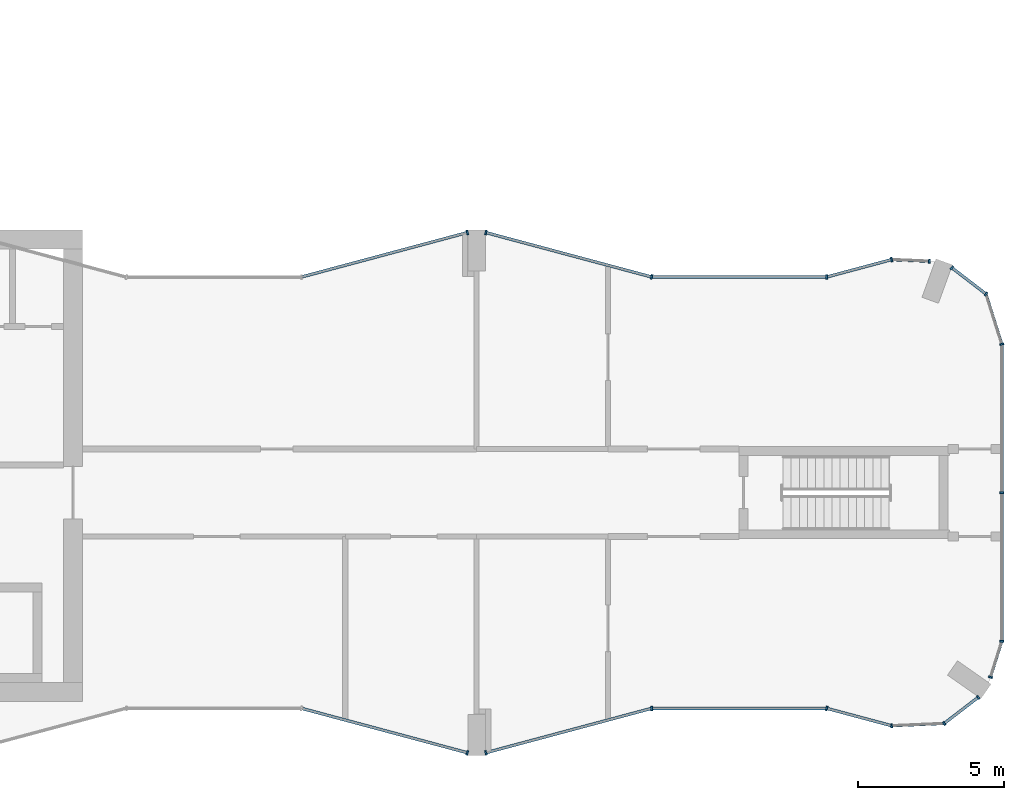
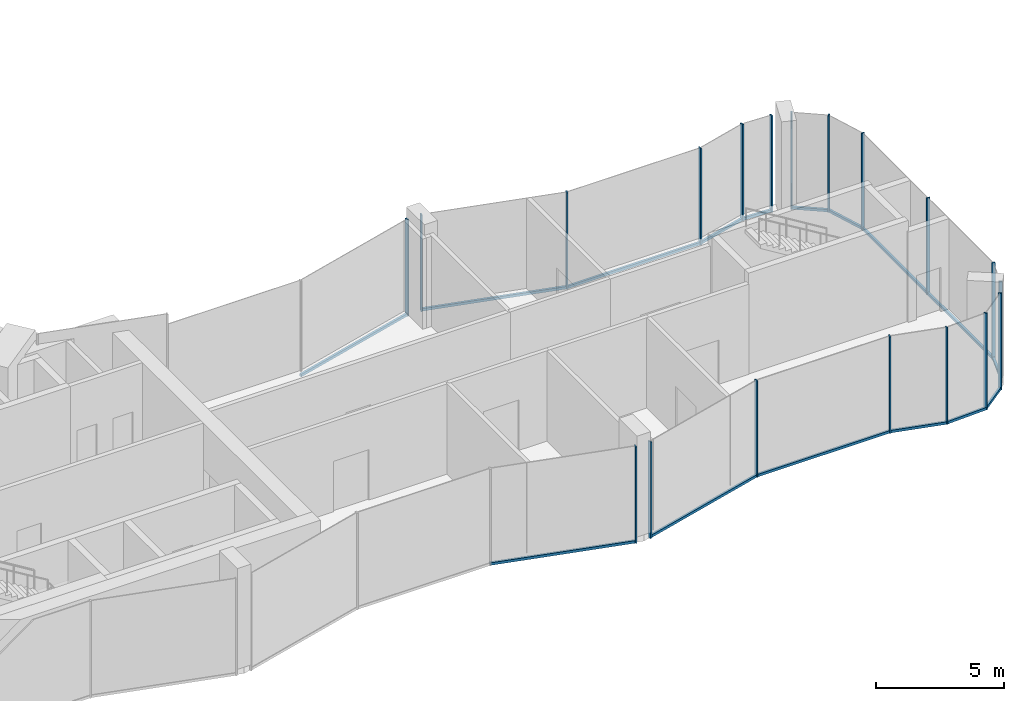
# One storey, part 6 of 13: 34 members, 15 elements without a shape of their own.
"""IFC4 building model written with IfcOpenShell, lengths in metres."""

from ifc_helpers import new_model, si_unit, direction, frame, origin, origin_2d, place, context, subcontext, project, spatial, rectangle, extrude, material, layer, layer_set, material_profile, profile_set, type_object, element, aggregate, save


model = new_model("IFC4")

# Units and contexts
model_context = context("Model", 3, precision=1e-05, world=origin(), true_north=direction((0.0, 1.0)))
body_context = subcontext(model_context, "Body", "Model", "MODEL_VIEW")
ifc_project = project(units=[si_unit("LENGTHUNIT", "METRE"), si_unit("AREAUNIT", "SQUARE_METRE"), si_unit("VOLUMEUNIT", "CUBIC_METRE"), si_unit("PLANEANGLEUNIT", "RADIAN"), si_unit("MASSUNIT", "GRAM", prefix="KILO")], contexts=[model_context])

# Site, building, storey
site_placement = place(None, origin())
site = spatial("IfcSite", under=ifc_project, at=site_placement, CompositionType="ELEMENT")
building_placement = place(site_placement, origin())
building = spatial("IfcBuilding", under=site, at=building_placement, Name="Plateau Cross Towers", CompositionType="ELEMENT")
storey_placement = place(building_placement, frame((0.0, 0.0, 134.60009765625)))
storey = spatial("IfcBuildingStorey", under=building, at=storey_placement, Name="L34", CompositionType="ELEMENT", Elevation=134.60009765625)

# Curtain wall, member
ifc_material_1 = material(Name="Dark low-iron glass", Category="glass")
ifc_layer_1 = layer(ifc_material_1, 0.239990234375)
ifc_layer_set_1 = layer_set([ifc_layer_1], Name="Dark low-iron glass")
curtain_wall_type_1 = type_object("IfcCurtainWallType", Name="Curtain wall flush unitised CW-B", PredefinedType="NOTDEFINED", material=ifc_layer_set_1)
curtain_wall_1_placement = place(storey_placement, origin())
curtain_wall_1 = element("IfcCurtainWall", 1, at=curtain_wall_1_placement, inside=storey, type_object=curtain_wall_type_1, Name="ENV/A/L34/A502_10", PredefinedType="NOTDEFINED")
ifc_material_2 = material(Name="Black anodised aluminium", Category="aluminium")
ifc_material_profile_1 = material_profile(ifc_material_2, rectangle(XDim=0.06005859375, YDim=0.139892578125, at=origin_2d()), Name="MULLION 60x140")
ifc_profile_set_1 = profile_set([ifc_material_profile_1], Name="Black anodised aluminium")
member_type_1 = type_object("IfcMemberType", Name="Mullion 60x140 flush unitised", PredefinedType="MULLION", material=ifc_profile_set_1)
member_1_placement = place(storey_placement, frame((50.223876953125, 1.01123046875, -0.300048828125), z_axis=(0.0, 0.0, 1.0), x_axis=(0.999043701491, 0.043722791671, 0.0)))
member_1 = element("IfcMember", 2, at=member_1_placement, type_object=member_type_1, Name="CW-B mullion 1", PredefinedType="MULLION", context=body_context, shape_type="SweptSolid", body=[
    extrude(rectangle(XDim=0.06005859375, YDim=0.139892578125, at=origin_2d()), origin(), (0.0, 0.0, 1.0), 4.599853515625),
])

# Curtain wall, members
curtain_wall_2_placement = place(storey_placement, origin())
curtain_wall_2 = element("IfcCurtainWall", 3, at=curtain_wall_2_placement, inside=storey, type_object=curtain_wall_type_1, Name="ENV/A/L34/A520_11", PredefinedType="NOTDEFINED")
member_2_placement = place(storey_placement, frame((52.0263671875, 1.090087890625, -0.300048828125), z_axis=(0.0, 0.0, 1.0), x_axis=(0.793315514529, 0.608810721331, 0.0)))
member_2 = element("IfcMember", 4, at=member_2_placement, type_object=member_type_1, Name="CW-B mullion 1", PredefinedType="MULLION", context=body_context, shape_type="SweptSolid", body=[
    extrude(rectangle(XDim=0.06005859375, YDim=0.139892578125, at=origin_2d()), origin(), (0.0, 0.0, 1.0), 4.599853515625),
])
member_3_placement = place(storey_placement, frame((53.193603515625, 1.986083984375, -0.300048828125), z_axis=(0.0, 0.0, 1.0), x_axis=(0.793315514529, 0.608810721331, 0.0)))
member_3 = element("IfcMember", 5, at=member_3_placement, type_object=member_type_1, Name="CW-B mullion 2", PredefinedType="MULLION", context=body_context, shape_type="SweptSolid", body=[
    extrude(rectangle(XDim=0.06005859375, YDim=0.139892578125, at=origin_2d()), origin(), (0.0, 0.0, 1.0), 4.599853515625),
])

# Curtain wall, member
curtain_wall_3_placement = place(storey_placement, origin())
curtain_wall_3 = element("IfcCurtainWall", 6, at=curtain_wall_3_placement, inside=storey, type_object=curtain_wall_type_1, Name="ENV/A/L34/A536_27", PredefinedType="NOTDEFINED")
member_4_placement = place(storey_placement, frame((53.611083984375, 2.67529296875, -0.300048828125), z_axis=(0.0, 0.0, 1.0), x_axis=(0.300686174994, 0.95372313811, 0.0)))
member_4 = element("IfcMember", 7, at=member_4_placement, type_object=member_type_1, Name="CW-B mullion 1", PredefinedType="MULLION", context=body_context, shape_type="SweptSolid", body=[
    extrude(rectangle(XDim=0.06005859375, YDim=0.139892578125, at=origin_2d()), origin(), (0.0, 0.0, 1.0), 4.599853515625),
])

# Curtain wall, members
curtain_wall_4_placement = place(storey_placement, origin())
curtain_wall_4 = element("IfcCurtainWall", 8, at=curtain_wall_4_placement, inside=storey, type_object=curtain_wall_type_1, Name="ENV/A/L34/A540_39", PredefinedType="NOTDEFINED")
member_5_placement = place(storey_placement, frame((54.0, 3.9091796875, -0.300048828125), z_axis=(0.0, 0.0, 1.0), x_axis=(0.0, 1.0, 0.0)))
member_5 = element("IfcMember", 9, at=member_5_placement, type_object=member_type_1, Name="CW-B mullion 1", PredefinedType="MULLION", context=body_context, shape_type="SweptSolid", body=[
    extrude(rectangle(XDim=0.06005859375, YDim=0.139892578125, at=origin_2d()), origin(), (0.0, 0.0, 1.0), 4.599853515625),
])
member_6_placement = place(storey_placement, frame((54.0, 9.0, -0.300048828125), z_axis=(0.0, 0.0, 1.0), x_axis=(0.0, 1.0, 0.0)))
member_6 = element("IfcMember", 10, at=member_6_placement, type_object=member_type_1, Name="CW-B mullion 2", PredefinedType="MULLION", context=body_context, shape_type="SweptSolid", body=[
    extrude(rectangle(XDim=0.06005859375, YDim=0.139892578125, at=origin_2d()), origin(), (0.0, 0.0, 1.0), 4.599853515625),
])

# Curtain wall, member
curtain_wall_5_placement = place(storey_placement, origin())
curtain_wall_5 = element("IfcCurtainWall", 11, at=curtain_wall_5_placement, inside=storey, type_object=curtain_wall_type_1, Name="ENV/A/L34/A540_141", PredefinedType="NOTDEFINED")
member_7_placement = place(storey_placement, frame((54.0, 14.0908203125, -0.300048828125), z_axis=(0.0, 0.0, 1.0), x_axis=(-0.300686174994, 0.95372313811, 0.0)))
member_7 = element("IfcMember", 12, at=member_7_placement, type_object=member_type_1, Name="CW-B mullion 1", PredefinedType="MULLION", context=body_context, shape_type="SweptSolid", body=[
    extrude(rectangle(XDim=0.06005859375, YDim=0.139892578125, at=origin_2d()), origin(), (0.0, 0.0, 1.0), 4.599853515625),
])

# Curtain wall, members
curtain_wall_6_placement = place(storey_placement, origin())
curtain_wall_6 = element("IfcCurtainWall", 13, at=curtain_wall_6_placement, inside=storey, type_object=curtain_wall_type_1, Name="ENV/A/L34/A535_158", PredefinedType="NOTDEFINED")
member_8_placement = place(storey_placement, frame((53.45751953125, 15.8115234375, -0.300048828125), z_axis=(0.0, 0.0, 1.0), x_axis=(-0.793315514529, 0.608810721331, 0.0)))
member_8 = element("IfcMember", 14, at=member_8_placement, type_object=member_type_1, Name="CW-B mullion 1", PredefinedType="MULLION", context=body_context, shape_type="SweptSolid", body=[
    extrude(rectangle(XDim=0.06005859375, YDim=0.139892578125, at=origin_2d()), origin(), (0.0, 0.0, 1.0), 4.599853515625),
])
member_9_placement = place(storey_placement, frame((52.290283203125, 16.707275390625, -0.300048828125), z_axis=(0.0, 0.0, 1.0), x_axis=(-0.793315514529, 0.608810721331, 0.0)))
member_9 = element("IfcMember", 15, at=member_9_placement, type_object=member_type_1, Name="CW-B mullion 2", PredefinedType="MULLION", context=body_context, shape_type="SweptSolid", body=[
    extrude(rectangle(XDim=0.06005859375, YDim=0.139892578125, at=origin_2d()), origin(), (0.0, 0.0, 1.0), 4.599853515625),
])

# Curtain wall, member
curtain_wall_7_placement = place(storey_placement, origin())
curtain_wall_7 = element("IfcCurtainWall", 16, at=curtain_wall_7_placement, inside=storey, type_object=curtain_wall_type_1, Name="ENV/A/L34/A515_169", PredefinedType="NOTDEFINED")
member_10_placement = place(storey_placement, frame((51.516357421875, 16.93212890625, -0.300048828125), z_axis=(0.0, 0.0, 1.0), x_axis=(-0.999043701491, 0.043722791671, 0.0)))
member_10 = element("IfcMember", 17, at=member_10_placement, type_object=member_type_1, Name="CW-B mullion 1", PredefinedType="MULLION", context=body_context, shape_type="SweptSolid", body=[
    extrude(rectangle(XDim=0.06005859375, YDim=0.139892578125, at=origin_2d()), origin(), (0.0, 0.0, 1.0), 4.599853515625),
])

ifc_layer_2 = layer(ifc_material_1, 0.260009765625)
ifc_layer_set_2 = layer_set([ifc_layer_2], Name="Dark low-iron glass")
curtain_wall_type_2 = type_object("IfcCurtainWallType", Name="Curtain wall fluted unitised CW-A", PredefinedType="NOTDEFINED", material=ifc_layer_set_2)
curtain_wall_8_placement = place(storey_placement, origin())
curtain_wall_8 = element("IfcCurtainWall", 18, at=curtain_wall_8_placement, inside=storey, type_object=curtain_wall_type_2, Name="ENV/A/L34/A300_16", PredefinedType="NOTDEFINED")
ifc_material_profile_2 = material_profile(ifc_material_2, rectangle(XDim=0.06005859375, YDim=0.159912109375, at=origin_2d()), Name="MULLION 60x160")
ifc_profile_set_2 = profile_set([ifc_material_profile_2], Name="Black anodised aluminium")
member_type_2 = type_object("IfcMemberType", Name="Mullion 60x160 fluted unitised", PredefinedType="MULLION", material=ifc_profile_set_2)
member_11_placement = place(storey_placement, frame((35.68212890625, 0.085205078125, -0.300048828125), z_axis=(0.0, 0.0, 1.0), x_axis=(0.965957983404, -0.258699003279, 0.0)))
member_11 = element("IfcMember", 19, at=member_11_placement, type_object=member_type_2, Name="CW-A mullion 2", PredefinedType="MULLION", context=body_context, shape_type="SweptSolid", body=[
    extrude(rectangle(XDim=0.06005859375, YDim=0.159912109375, at=origin_2d()), origin(), (0.0, 0.0, 1.0), 4.599853515625),
])

curtain_wall_9_placement = place(storey_placement, origin())
curtain_wall_9 = element("IfcCurtainWall", 20, at=curtain_wall_9_placement, inside=storey, type_object=curtain_wall_type_2, Name="ENV/A/L34/A363_1", PredefinedType="NOTDEFINED")
member_12_placement = place(storey_placement, frame((36.31787109375, 0.085205078125, -0.300048828125), z_axis=(0.0, 0.0, 1.0), x_axis=(0.965957983404, 0.258699003279, 0.0)))
member_12 = element("IfcMember", 21, at=member_12_placement, type_object=member_type_2, Name="CW-A mullion 1", PredefinedType="MULLION", context=body_context, shape_type="SweptSolid", body=[
    extrude(rectangle(XDim=0.06005859375, YDim=0.159912109375, at=origin_2d()), origin(), (0.0, 0.0, 1.0), 4.599853515625),
])

curtain_wall_10_placement = place(storey_placement, origin())
curtain_wall_10 = element("IfcCurtainWall", 22, at=curtain_wall_10_placement, inside=storey, type_object=curtain_wall_type_2, Name="ENV/A/L34/A420_16", PredefinedType="NOTDEFINED")
member_13_placement = place(storey_placement, frame((42.0, 1.60693359375, -0.300048828125), z_axis=(0.0, 0.0, 1.0), x_axis=(1.0, 0.0, 0.0)))
member_13 = element("IfcMember", 23, at=member_13_placement, type_object=member_type_2, Name="CW-A mullion 1", PredefinedType="MULLION", context=body_context, shape_type="SweptSolid", body=[
    extrude(rectangle(XDim=0.06005859375, YDim=0.159912109375, at=origin_2d()), origin(), (0.0, 0.0, 1.0), 4.599853515625),
])

curtain_wall_11_placement = place(storey_placement, origin())
curtain_wall_11 = element("IfcCurtainWall", 24, at=curtain_wall_11_placement, inside=storey, type_object=curtain_wall_type_2, Name="ENV/A/L34/A480_16", PredefinedType="NOTDEFINED")
member_14_placement = place(storey_placement, frame((48.0, 1.60693359375, -0.300048828125), z_axis=(0.0, 0.0, 1.0), x_axis=(0.965957962328, -0.258699081978, 0.0)))
member_14 = element("IfcMember", 25, at=member_14_placement, type_object=member_type_2, Name="CW-A mullion 1", PredefinedType="MULLION", context=body_context, shape_type="SweptSolid", body=[
    extrude(rectangle(XDim=0.06005859375, YDim=0.159912109375, at=origin_2d()), origin(), (0.0, 0.0, 1.0), 4.599853515625),
])

curtain_wall_12_placement = place(storey_placement, origin())
curtain_wall_12 = element("IfcCurtainWall", 26, at=curtain_wall_12_placement, inside=storey, type_object=curtain_wall_type_2, Name="ENV/A/L34/A502_170", PredefinedType="NOTDEFINED")
member_15_placement = place(storey_placement, frame((50.223876953125, 16.98876953125, -0.300048828125), z_axis=(0.0, 0.0, 1.0), x_axis=(-0.965957962328, -0.258699081978, 0.0)))
member_15 = element("IfcMember", 27, at=member_15_placement, type_object=member_type_2, Name="CW-A mullion 1", PredefinedType="MULLION", context=body_context, shape_type="SweptSolid", body=[
    extrude(rectangle(XDim=0.06005859375, YDim=0.159912109375, at=origin_2d()), origin(), (0.0, 0.0, 1.0), 4.599853515625),
])

curtain_wall_13_placement = place(storey_placement, origin())
curtain_wall_13 = element("IfcCurtainWall", 28, at=curtain_wall_13_placement, inside=storey, type_object=curtain_wall_type_2, Name="ENV/A/L34/A480_164", PredefinedType="NOTDEFINED")
member_16_placement = place(storey_placement, frame((48.0, 16.39306640625, -0.300048828125), z_axis=(0.0, 0.0, 1.0), x_axis=(-1.0, 0.0, 0.0)))
member_16 = element("IfcMember", 29, at=member_16_placement, type_object=member_type_2, Name="CW-A mullion 1", PredefinedType="MULLION", context=body_context, shape_type="SweptSolid", body=[
    extrude(rectangle(XDim=0.06005859375, YDim=0.159912109375, at=origin_2d()), origin(), (0.0, 0.0, 1.0), 4.599853515625),
])

# Curtain wall, members
curtain_wall_14_placement = place(storey_placement, origin())
curtain_wall_14 = element("IfcCurtainWall", 30, at=curtain_wall_14_placement, inside=storey, type_object=curtain_wall_type_2, Name="ENV/A/L34/A420_164", PredefinedType="NOTDEFINED")
member_17_placement = place(storey_placement, frame((42.0, 16.39306640625, -0.300048828125), z_axis=(0.0, 0.0, 1.0), x_axis=(-0.965957983404, 0.258699003279, 0.0)))
member_17 = element("IfcMember", 31, at=member_17_placement, type_object=member_type_2, Name="CW-A mullion 1", PredefinedType="MULLION", context=body_context, shape_type="SweptSolid", body=[
    extrude(rectangle(XDim=0.06005859375, YDim=0.159912109375, at=origin_2d()), origin(), (0.0, 0.0, 1.0), 4.599853515625),
])
member_18_placement = place(storey_placement, frame((36.31787109375, 17.914794921875, -0.300048828125), z_axis=(0.0, 0.0, 1.0), x_axis=(-0.965957983404, 0.258699003279, 0.0)))
member_18 = element("IfcMember", 32, at=member_18_placement, type_object=member_type_2, Name="CW-A mullion 2", PredefinedType="MULLION", context=body_context, shape_type="SweptSolid", body=[
    extrude(rectangle(XDim=0.06005859375, YDim=0.159912109375, at=origin_2d()), origin(), (0.0, 0.0, 1.0), 4.599853515625),
])

# Curtain wall, member
curtain_wall_15_placement = place(storey_placement, origin())
curtain_wall_15 = element("IfcCurtainWall", 33, at=curtain_wall_15_placement, inside=storey, type_object=curtain_wall_type_2, Name="ENV/A/L34/A357_179", PredefinedType="NOTDEFINED")
member_19_placement = place(storey_placement, frame((35.68212890625, 17.914794921875, -0.300048828125), z_axis=(0.0, 0.0, 1.0), x_axis=(-0.965957983404, -0.258699003279, 0.0)))
member_19 = element("IfcMember", 34, at=member_19_placement, type_object=member_type_2, Name="CW-A mullion 1", PredefinedType="MULLION", context=body_context, shape_type="SweptSolid", body=[
    extrude(rectangle(XDim=0.06005859375, YDim=0.159912109375, at=origin_2d()), origin(), (0.0, 0.0, 1.0), 4.599853515625),
])

# Member
ifc_material_profile_3 = material_profile(ifc_material_2, rectangle(XDim=0.10009765625, YDim=0.1201171875, at=origin_2d()), Name="TRANSOM 100x120")
ifc_profile_set_3 = profile_set([ifc_material_profile_3], Name="Black anodised aluminium")
member_type_3 = type_object("IfcMemberType", Name="Transom 100x120 flush unitised", PredefinedType="USERDEFINED", material=ifc_profile_set_3)
member_20_placement = place(storey_placement, frame((50.223876953125, 1.01123046875, -0.239990234375), z_axis=(0.999044377355, 0.043707345779, 0.0), x_axis=(-0.043707345779, 0.999044377355, 0.0)))
member_20 = element("IfcMember", 35, at=member_20_placement, type_object=member_type_3, Name="CW-B transom", ObjectType="TRANSOM", PredefinedType="USERDEFINED", context=body_context, shape_type="SweptSolid", body=[
    extrude(rectangle(XDim=0.10009765625, YDim=0.1201171875, at=origin_2d()), origin(), (0.0, 0.0, 1.0), 1.80419921875),
])

aggregate(curtain_wall_1, [member_1, member_20])

member_21_placement = place(storey_placement, frame((52.0263671875, 1.090087890625, -0.239990234375), z_axis=(0.793240368515, 0.608908628415, 0.0), x_axis=(-0.608908628415, 0.793240368515, 0.0)))
member_21 = element("IfcMember", 36, at=member_21_placement, type_object=member_type_3, Name="CW-B transom", ObjectType="TRANSOM", PredefinedType="USERDEFINED", context=body_context, shape_type="SweptSolid", body=[
    extrude(rectangle(XDim=0.10009765625, YDim=0.1201171875, at=origin_2d()), origin(), (0.0, 0.0, 1.0), 1.471435546875),
])

aggregate(curtain_wall_2, [member_2, member_3, member_21])

member_22_placement = place(storey_placement, frame((53.611083984375, 2.67529296875, -0.239990234375), z_axis=(0.300616528216, 0.953745093284, 0.0), x_axis=(-0.953745093284, 0.300616528216, 0.0)))
member_22 = element("IfcMember", 37, at=member_22_placement, type_object=member_type_3, Name="CW-B transom", ObjectType="TRANSOM", PredefinedType="USERDEFINED", context=body_context, shape_type="SweptSolid", body=[
    extrude(rectangle(XDim=0.10009765625, YDim=0.1201171875, at=origin_2d()), origin(), (0.0, 0.0, 1.0), 1.293701171875),
])

aggregate(curtain_wall_3, [member_4, member_22])

member_23_placement = place(storey_placement, frame((54.0, 3.9091796875, -0.239990234375), z_axis=(0.0, 1.0, 0.0), x_axis=(-1.0, 0.0, 0.0)))
member_23 = element("IfcMember", 38, at=member_23_placement, type_object=member_type_3, Name="CW-B transom", ObjectType="TRANSOM", PredefinedType="USERDEFINED", context=body_context, shape_type="SweptSolid", body=[
    extrude(rectangle(XDim=0.10009765625, YDim=0.1201171875, at=origin_2d()), origin(), (0.0, 0.0, 1.0), 10.181640625),
])

aggregate(curtain_wall_4, [member_5, member_6, member_23])

member_24_placement = place(storey_placement, frame((54.0, 14.0908203125, -0.239990234375), z_axis=(-0.30067799945, 0.953725715626, 0.0), x_axis=(-0.953725715626, -0.30067799945, 0.0)))
member_24 = element("IfcMember", 39, at=member_24_placement, type_object=member_type_3, Name="CW-B transom", ObjectType="TRANSOM", PredefinedType="USERDEFINED", context=body_context, shape_type="SweptSolid", body=[
    extrude(rectangle(XDim=0.10009765625, YDim=0.1201171875, at=origin_2d()), origin(), (0.0, 0.0, 1.0), 1.80419921875),
])

aggregate(curtain_wall_5, [member_7, member_24])

member_25_placement = place(storey_placement, frame((53.45751953125, 15.8115234375, -0.239990234375), z_axis=(-0.793320508571, 0.608804213751, 0.0), x_axis=(-0.608804213751, -0.793320508571, 0.0)))
member_25 = element("IfcMember", 40, at=member_25_placement, type_object=member_type_3, Name="CW-B transom", ObjectType="TRANSOM", PredefinedType="USERDEFINED", context=body_context, shape_type="SweptSolid", body=[
    extrude(rectangle(XDim=0.10009765625, YDim=0.1201171875, at=origin_2d()), origin(), (0.0, 0.0, 1.0), 1.471435546875),
])

aggregate(curtain_wall_6, [member_8, member_9, member_25])

member_26_placement = place(storey_placement, frame((51.516357421875, 16.93212890625, -0.239990234375), z_axis=(-0.999041144614, 0.043781175963, 0.0), x_axis=(-0.043781175963, -0.999041144614, 0.0)))
member_26 = element("IfcMember", 41, at=member_26_placement, type_object=member_type_3, Name="CW-B transom", ObjectType="TRANSOM", PredefinedType="USERDEFINED", context=body_context, shape_type="SweptSolid", body=[
    extrude(rectangle(XDim=0.10009765625, YDim=0.1201171875, at=origin_2d()), origin(), (0.0, 0.0, 1.0), 1.293701171875),
])

aggregate(curtain_wall_7, [member_10, member_26])

ifc_material_profile_4 = material_profile(ifc_material_2, rectangle(XDim=0.10009765625, YDim=0.1201171875, at=origin_2d()), Name="TRANSOM 100x120")
ifc_profile_set_4 = profile_set([ifc_material_profile_4], Name="Black anodised aluminium")
member_type_4 = type_object("IfcMemberType", Name="Transom 100x120 fluted unitised", PredefinedType="USERDEFINED", material=ifc_profile_set_4)
member_27_placement = place(storey_placement, frame((30.0, 1.60693359375, -0.239990234375), z_axis=(0.965959534794, -0.258693210465, 0.0), x_axis=(0.258693210465, 0.965959534794, 0.0)))
member_27 = element("IfcMember", 42, at=member_27_placement, type_object=member_type_4, Name="CW-A transom", ObjectType="TRANSOM", PredefinedType="USERDEFINED", context=body_context, shape_type="SweptSolid", body=[
    extrude(rectangle(XDim=0.10009765625, YDim=0.1201171875, at=origin_2d()), origin(), (0.0, 0.0, 1.0), 5.88232421875),
])

aggregate(curtain_wall_8, [member_11, member_27])

member_28_placement = place(storey_placement, frame((36.31787109375, 0.085205078125, -0.239990234375), z_axis=(0.965959534794, 0.258693210465, 0.0), x_axis=(-0.258693210465, 0.965959534794, 0.0)))
member_28 = element("IfcMember", 43, at=member_28_placement, type_object=member_type_4, Name="CW-A transom", ObjectType="TRANSOM", PredefinedType="USERDEFINED", context=body_context, shape_type="SweptSolid", body=[
    extrude(rectangle(XDim=0.10009765625, YDim=0.1201171875, at=origin_2d()), origin(), (0.0, 0.0, 1.0), 5.88232421875),
])

aggregate(curtain_wall_9, [member_12, member_28])

member_29_placement = place(storey_placement, frame((42.0, 1.60693359375, -0.239990234375), z_axis=(1.0, 0.0, 0.0), x_axis=(0.0, 1.0, 0.0)))
member_29 = element("IfcMember", 44, at=member_29_placement, type_object=member_type_4, Name="CW-A transom", ObjectType="TRANSOM", PredefinedType="USERDEFINED", context=body_context, shape_type="SweptSolid", body=[
    extrude(rectangle(XDim=0.10009765625, YDim=0.1201171875, at=origin_2d()), origin(), (0.0, 0.0, 1.0), 6.0),
])

aggregate(curtain_wall_10, [member_13, member_29])

member_30_placement = place(storey_placement, frame((48.0, 1.60693359375, -0.239990234375), z_axis=(0.965945685136, -0.258744919501, 0.0), x_axis=(0.258744919501, 0.965945685136, 0.0)))
member_30 = element("IfcMember", 45, at=member_30_placement, type_object=member_type_4, Name="CW-A transom", ObjectType="TRANSOM", PredefinedType="USERDEFINED", context=body_context, shape_type="SweptSolid", body=[
    extrude(rectangle(XDim=0.10009765625, YDim=0.1201171875, at=origin_2d()), origin(), (0.0, 0.0, 1.0), 2.30224609375),
])

aggregate(curtain_wall_11, [member_14, member_30])

member_31_placement = place(storey_placement, frame((50.223876953125, 16.98876953125, -0.239990234375), z_axis=(-0.965945685136, -0.258744919501, 0.0), x_axis=(0.258744919501, -0.965945685136, 0.0)))
member_31 = element("IfcMember", 46, at=member_31_placement, type_object=member_type_4, Name="CW-A transom", ObjectType="TRANSOM", PredefinedType="USERDEFINED", context=body_context, shape_type="SweptSolid", body=[
    extrude(rectangle(XDim=0.10009765625, YDim=0.1201171875, at=origin_2d()), origin(), (0.0, 0.0, 1.0), 2.30224609375),
])

aggregate(curtain_wall_12, [member_15, member_31])

member_32_placement = place(storey_placement, frame((48.0, 16.39306640625, -0.239990234375), z_axis=(-1.0, 0.0, 0.0), x_axis=(0.0, -1.0, 0.0)))
member_32 = element("IfcMember", 47, at=member_32_placement, type_object=member_type_4, Name="CW-A transom", ObjectType="TRANSOM", PredefinedType="USERDEFINED", context=body_context, shape_type="SweptSolid", body=[
    extrude(rectangle(XDim=0.10009765625, YDim=0.1201171875, at=origin_2d()), origin(), (0.0, 0.0, 1.0), 6.0),
])

aggregate(curtain_wall_13, [member_16, member_32])

member_33_placement = place(storey_placement, frame((42.0, 16.39306640625, -0.239990234375), z_axis=(-0.965959534794, 0.258693210465, 0.0), x_axis=(-0.258693210465, -0.965959534794, 0.0)))
member_33 = element("IfcMember", 48, at=member_33_placement, type_object=member_type_4, Name="CW-A transom", ObjectType="TRANSOM", PredefinedType="USERDEFINED", context=body_context, shape_type="SweptSolid", body=[
    extrude(rectangle(XDim=0.10009765625, YDim=0.1201171875, at=origin_2d()), origin(), (0.0, 0.0, 1.0), 5.88232421875),
])

aggregate(curtain_wall_14, [member_17, member_18, member_33])

member_34_placement = place(storey_placement, frame((35.68212890625, 17.914794921875, -0.239990234375), z_axis=(-0.965959534794, -0.258693210465, 0.0), x_axis=(0.258693210465, -0.965959534794, 0.0)))
member_34 = element("IfcMember", 49, at=member_34_placement, type_object=member_type_4, Name="CW-A transom", ObjectType="TRANSOM", PredefinedType="USERDEFINED", context=body_context, shape_type="SweptSolid", body=[
    extrude(rectangle(XDim=0.10009765625, YDim=0.1201171875, at=origin_2d()), origin(), (0.0, 0.0, 1.0), 5.88232421875),
])

aggregate(curtain_wall_15, [member_19, member_34])

save(model, "model.ifc")
